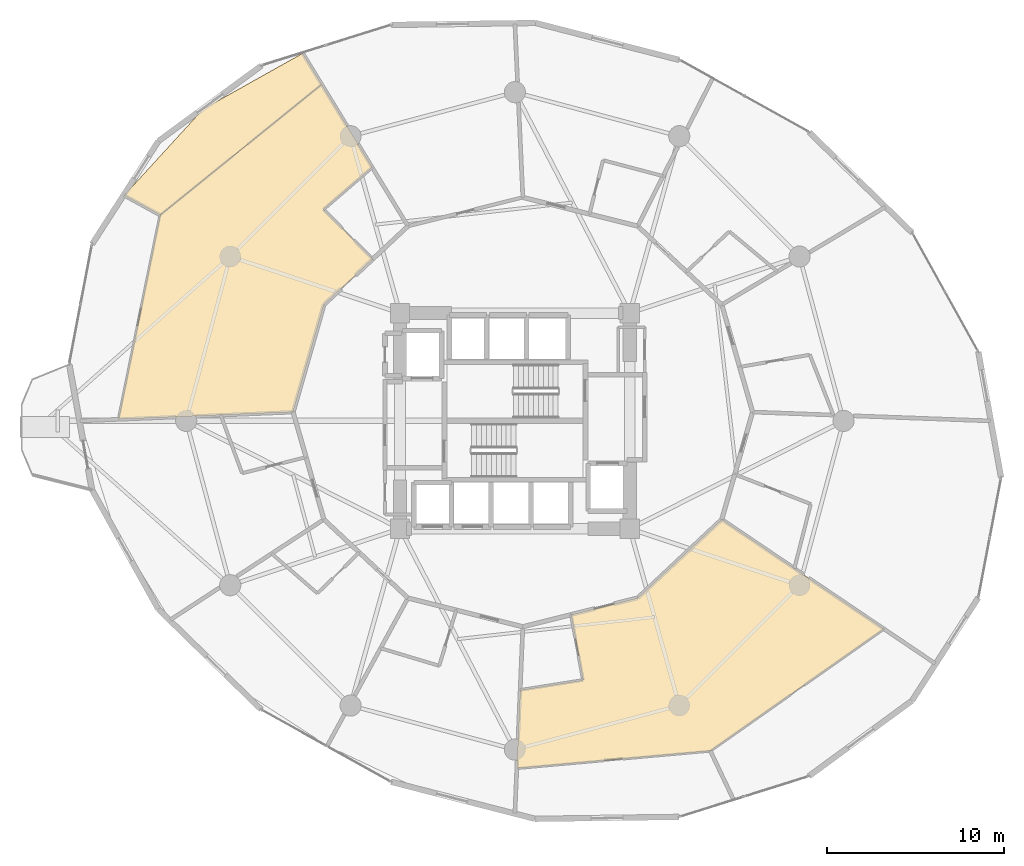
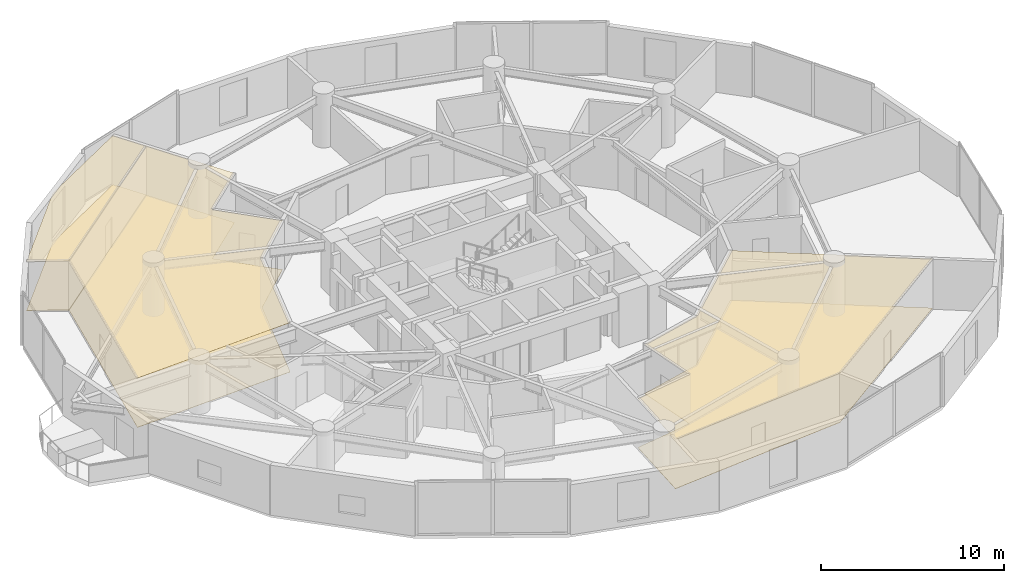
# One storey, part 22 of 22: 6 coverings.
"""IFC4 building model written with IfcOpenShell, lengths in metres."""

import ifcopenshell
import ifcopenshell.guid

model = None  # the IFC model being written
_history = None  # IfcOwnerHistory: only IFC2X3 demands one
_inside = {}  # id of a spatial element -> (the spatial element, [elements in it])
_under = {}  # id of a project, library or spatial element -> (it, [spatial elements below it])
_declared = {}  # id of a project -> (the project, [libraries it declares])
_typed = {}  # id of a type object -> (the type object, [elements of that type])
_made_of = {}  # id of a material, layer set ... -> (it, [elements and type objects made of it])


def new_model(schema):
    """Start an empty IFC model of exactly this schema.

    Asked for "IFC4X3", IfcOpenShell would pick the latest addendum, in which some entities
    have other attributes; the version numbers below select the first issue.
    IFC2X3 requires an IfcOwnerHistory on every rooted entity: one is made here for all.
    """
    global model, _history
    if schema == "IFC4X3":
        model = ifcopenshell.file(schema_version=(4, 3, 0, 0))
    else:
        model = ifcopenshell.file(schema=schema)
    _inside.clear()
    _under.clear()
    _declared.clear()
    _typed.clear()
    _made_of.clear()
    _history = None
    if model.schema == "IFC2X3":
        org = make("IfcOrganization", Name="unknown")
        user = make(
            "IfcPersonAndOrganization",
            ThePerson=make("IfcPerson", FamilyName="unknown"),
            TheOrganization=org,
        )
        app = make(
            "IfcApplication",
            ApplicationDeveloper=org,
            Version="unknown",
            ApplicationFullName="unknown",
            ApplicationIdentifier="unknown",
        )
        _history = make(
            "IfcOwnerHistory",
            OwningUser=user,
            OwningApplication=app,
            ChangeAction="ADDED",
            CreationDate=0,
        )
    return model


def make(cls, **values):
    """One entity of the class cls with the attributes given. An attribute that is None is left unset."""
    return model.create_entity(
        cls, **{name: value for name, value in values.items() if value is not None}
    )


def rooted(cls, **values):
    """An entity with a GlobalId (a new one), such as an element, a storey or a relation."""
    return make(cls, GlobalId=ifcopenshell.guid.new(), OwnerHistory=_history, **values)


def si_unit(unit_type, name, prefix=None):
    """IfcSIUnit, for example si_unit("LENGTHUNIT", "METRE", prefix="MILLI")."""
    return make("IfcSIUnit", UnitType=unit_type, Prefix=prefix, Name=name)


def assignment(units):
    """IfcUnitAssignment: the units of a project."""
    return None if units is None else make("IfcUnitAssignment", Units=units)


def point(xyz):
    """IfcCartesianPoint."""
    return None if xyz is None else make("IfcCartesianPoint", Coordinates=xyz)


def direction(xyz):
    """IfcDirection."""
    return None if xyz is None else make("IfcDirection", DirectionRatios=xyz)


def frame(location, z_axis=None, x_axis=None):
    """IfcAxis2Placement3D, a coordinate frame: its origin and axes. An axis left out is left unset."""
    return make(
        "IfcAxis2Placement3D",
        Location=point(location),
        Axis=direction(z_axis),
        RefDirection=direction(x_axis),
    )


def origin():
    """The frame at (0, 0, 0) with its axes left unset."""
    return frame((0.0, 0.0, 0.0))


def place(relative_to, where):
    """IfcLocalPlacement: puts the frame where relative to a parent placement (None: the world)."""
    return make(
        "IfcLocalPlacement", PlacementRelTo=relative_to, RelativePlacement=where
    )


def context(
    kind, dimensions, precision=None, world=None, true_north=None, identifier=None
):
    """IfcGeometricRepresentationContext, for example the 3D "Model" context."""
    return make(
        "IfcGeometricRepresentationContext",
        ContextIdentifier=identifier,
        ContextType=kind,
        CoordinateSpaceDimension=dimensions,
        Precision=precision,
        WorldCoordinateSystem=world,
        TrueNorth=true_north,
    )


def subcontext(parent, identifier, kind, view, scale=None):
    """IfcGeometricRepresentationSubContext, for example "Body" below "Model"."""
    return make(
        "IfcGeometricRepresentationSubContext",
        ContextIdentifier=identifier,
        ContextType=kind,
        ParentContext=parent,
        TargetScale=scale,
        TargetView=view,
    )


def project(units=None, contexts=None):
    """IfcProject with its units and contexts."""
    return rooted(
        "IfcProject",
        Name="project",
        RepresentationContexts=contexts,
        UnitsInContext=assignment(units),
    )


def spatial(cls, under=None, at=None, **own):
    """A site, building, storey or space (cls), placed at a placement, below another one or the project."""
    s = rooted(cls, ObjectPlacement=at, **own)
    if under is not None:
        _under.setdefault(under.id(), (under, []))[1].append(s)
    return s


def polyline(points):
    """IfcPolyline through the points."""
    return make("IfcPolyline", Points=[point(p) for p in points])


def outline(outer, holes=None, kind="AREA"):
    """IfcArbitraryClosedProfileDef: a profile drawn as a closed curve; with holes, ...WithVoids."""
    if holes is None:
        return make("IfcArbitraryClosedProfileDef", ProfileType=kind, OuterCurve=outer)
    return make(
        "IfcArbitraryProfileDefWithVoids",
        ProfileType=kind,
        OuterCurve=outer,
        InnerCurves=holes,
    )


def extrude(swept, where, along, depth):
    """IfcExtrudedAreaSolid: the profile swept, set in the frame where, extruded along a direction by depth."""
    return make(
        "IfcExtrudedAreaSolid",
        SweptArea=swept,
        Position=where,
        ExtrudedDirection=direction(along),
        Depth=depth,
    )


def shape(context_of_items, identifier, shape_type, items):
    """IfcShapeRepresentation: the items that make up one representation, for example the "Body"."""
    return make(
        "IfcShapeRepresentation",
        ContextOfItems=context_of_items,
        RepresentationIdentifier=identifier,
        RepresentationType=shape_type,
        Items=items,
    )


def material(Name=None, Category=None):
    """IfcMaterial."""
    return make("IfcMaterial", Name=Name, Category=Category)


def layer(
    of_material, thickness, ventilated=None, Name=None, Category=None, Priority=None
):
    """IfcMaterialLayer: one layer of a wall or slab, of a material (None: an air gap)."""
    return make(
        "IfcMaterialLayer",
        Material=of_material,
        LayerThickness=thickness,
        IsVentilated=ventilated,
        Name=Name,
        Category=Category,
        Priority=Priority,
    )


def layer_set(layers, Name=None):
    """IfcMaterialLayerSet."""
    return make("IfcMaterialLayerSet", MaterialLayers=layers, LayerSetName=Name)


def made_of(thing, what):
    """Note that an element or type object is made of a material, layer set ...; save() writes the relation."""
    if what is not None:
        _made_of.setdefault(what.id(), (what, []))[1].append(thing)
    return thing


def type_object(cls, material=None, **own):
    """A type object (cls), such as IfcWallType, which elements share."""
    return made_of(rooted(cls, **own), material)


def element(
    cls,
    number,
    at=None,
    inside=None,
    cuts=None,
    type_object=None,
    material=None,
    context=None,
    identifier="Body",
    shape_type=None,
    held_by="IfcProductDefinitionShape",
    body=None,
    shapes=None,
    **own,
):
    """One element of the class cls, such as IfcWall. Its Tag is "e" and its number.

    at: its placement. inside: the storey or other place that contains it. cuts: it is an
    opening in that element (IfcRelVoidsElement). A single representation is given by context,
    identifier, shape_type and body (its items); several are given by shapes. held_by: the class
    of the entity that holds the representations. save() writes the other relations.
    """
    e = rooted(cls, Tag="e%d" % number, ObjectPlacement=at, **own)
    if body is not None:
        shapes = [shape(context, identifier, shape_type, body)]
    if shapes is not None:
        e.Representation = make(held_by, Representations=shapes)
    if inside is not None:
        _inside.setdefault(inside.id(), (inside, []))[1].append(e)
    if cuts is not None:
        rooted(
            "IfcRelVoidsElement", RelatingBuildingElement=cuts, RelatedOpeningElement=e
        )
    if type_object is not None:
        _typed.setdefault(type_object.id(), (type_object, []))[1].append(e)
    return made_of(e, material)


def aggregate(whole, parts):
    """IfcRelAggregates: a whole, such as a stair, and the parts it consists of."""
    return rooted("IfcRelAggregates", RelatingObject=whole, RelatedObjects=parts)


def save(model, path):
    """Write the relations noted so far, then the file.

    IfcRelAggregates (storeys below a building ...), IfcRelContainedInSpatialStructure (elements
    in a storey), IfcRelDefinesByType, IfcRelAssociatesMaterial and IfcRelDeclares: one each for
    every whole, place, type object, material and project.
    """
    for whole, parts in _under.values():
        aggregate(whole, parts)
    for where, things in _inside.values():
        rooted(
            "IfcRelContainedInSpatialStructure",
            RelatedElements=things,
            RelatingStructure=where,
        )
    for kind, things in _typed.values():
        rooted("IfcRelDefinesByType", RelatedObjects=things, RelatingType=kind)
    for what, things in _made_of.values():
        rooted("IfcRelAssociatesMaterial", RelatedObjects=things, RelatingMaterial=what)
    for by, libraries in _declared.values():
        rooted("IfcRelDeclares", RelatingContext=by, RelatedDefinitions=libraries)
    model.write(path)


model = new_model("IFC4")

# Units and contexts
model_context = context("Model", 3, precision=1e-05, world=origin(), true_north=direction((0.0, 1.0)))
body_context = subcontext(model_context, "Body", "Model", "MODEL_VIEW")
ifc_project = project(units=[si_unit("LENGTHUNIT", "METRE"), si_unit("AREAUNIT", "SQUARE_METRE"), si_unit("VOLUMEUNIT", "CUBIC_METRE"), si_unit("PLANEANGLEUNIT", "RADIAN"), si_unit("MASSUNIT", "GRAM", prefix="KILO")], contexts=[model_context])

# Site, building, storey
site_placement = place(None, origin())
site = spatial("IfcSite", under=ifc_project, at=site_placement, CompositionType="ELEMENT")
building_placement = place(site_placement, origin())
building = spatial("IfcBuilding", under=site, at=building_placement, Name="Solvirekh Grand Hotel", CompositionType="ELEMENT")
storey_placement = place(building_placement, frame((0.0, 0.0, 78.800048828125)))
storey = spatial("IfcBuildingStorey", under=building, at=storey_placement, Name="L19", CompositionType="ELEMENT", Elevation=78.800048828125)

# Coverings
ifc_material_1 = material(Name="Acoustic Mineral Ceiling Tile")
ifc_layer_1 = layer(ifc_material_1, 0.02490234375)
ifc_layer_set_1 = layer_set([ifc_layer_1], Name="Acoustic Mineral Ceiling Tile")
covering_type_1 = type_object("IfcCoveringType", Name="Cov_Ceiling_Acoustic", PredefinedType="CEILING", material=ifc_layer_set_1)
covering_1_placement = place(storey_placement, frame((0.0, 0.0, 3.2900390625)))
element("IfcCovering", 1, at=covering_1_placement, inside=storey, type_object=covering_type_1, Name="L19 Executive Suite 2101 Living Room acoustic ceiling", PredefinedType="CEILING", context=body_context, shape_type="SweptSolid", body=[
    extrude(outline(polyline([(-10.8369140625, 11.966064453125), (-8.075927734375, 14.345947265625), (-10.93603515625, 19.0390625), (-20.072998046875, 11.64892578125), (-22.429931640625, 0.090087890625), (-12.550048828125, 0.5), (-10.80810546875, 6.574951171875), (-8.048095703125, 9.154052734375), (-10.8369140625, 11.966064453125)])), origin(), (0.0, 0.0, 1.0), 0.017822265625),
])
covering_2_placement = place(storey_placement, frame((0.0, 0.0, 3.2900390625)))
element("IfcCovering", 2, at=covering_2_placement, inside=storey, type_object=covering_type_1, Name="L19 Executive Suite 2101 Master Bedroom acoustic ceiling", PredefinedType="CEILING", context=body_context, shape_type="SweptSolid", body=[
    extrude(outline(polyline([(-12.008056640625, 20.799072265625), (-17.64208984375, 17.64208984375), (-22.10693359375, 12.762939453125), (-20.072998046875, 11.64892578125), (-10.93603515625, 19.0390625), (-12.008056640625, 20.799072265625)])), origin(), (0.0, 0.0, 1.0), 0.017822265625),
])
covering_3_placement = place(storey_placement, frame((0.0, 0.0, 3.2900390625)))
element("IfcCovering", 3, at=covering_3_placement, inside=storey, type_object=covering_type_1, Name="L19 Executive Suite 2105 Living Room acoustic ceiling", PredefinedType="CEILING", context=body_context, shape_type="SweptSolid", body=[
    extrude(outline(polyline([(3.864013671875, -14.6708984375), (0.297119140625, -15.23388671875), (0.10791015625, -19.662109375), (11.06201171875, -18.677001953125), (20.885986328125, -11.77392578125), (11.7080078125, -5.574951171875), (6.949951171875, -10.02197265625), (3.179931640625, -10.966064453125), (3.864013671875, -14.6708984375)])), origin(), (0.0, 0.0, 1.0), 0.017822265625),
])
ifc_material_2 = material(Name="Porcelain Stoneware Flooring", Category="masonry")
ifc_layer_2 = layer(ifc_material_2, 0.030029296875)
ifc_layer_set_2 = layer_set([ifc_layer_2], Name="Porcelain Stoneware Flooring")
covering_type_2 = type_object("IfcCoveringType", Name="Cov_Floor_Stone", PredefinedType="FLOORING", material=ifc_layer_set_2)
covering_4_placement = place(storey_placement, origin())
element("IfcCovering", 4, at=covering_4_placement, inside=storey, type_object=covering_type_2, Name="L19 Executive Suite 2101 Living Room polished granite flooring", PredefinedType="FLOORING", context=body_context, shape_type="SweptSolid", body=[
    extrude(outline(polyline([(-10.8369140625, 11.966064453125), (-8.075927734375, 14.345947265625), (-10.93603515625, 19.0390625), (-20.072998046875, 11.64892578125), (-22.429931640625, 0.090087890625), (-12.550048828125, 0.5), (-10.80810546875, 6.574951171875), (-8.048095703125, 9.154052734375), (-10.8369140625, 11.966064453125)])), origin(), (0.0, 0.0, 1.0), 0.02001953125),
])
covering_5_placement = place(storey_placement, origin())
element("IfcCovering", 5, at=covering_5_placement, inside=storey, type_object=covering_type_2, Name="L19 Executive Suite 2101 Master Bedroom polished granite flooring", PredefinedType="FLOORING", context=body_context, shape_type="SweptSolid", body=[
    extrude(outline(polyline([(-12.008056640625, 20.799072265625), (-17.64208984375, 17.64208984375), (-22.10693359375, 12.762939453125), (-20.072998046875, 11.64892578125), (-10.93603515625, 19.0390625), (-12.008056640625, 20.799072265625)])), origin(), (0.0, 0.0, 1.0), 0.02001953125),
])
covering_6_placement = place(storey_placement, origin())
element("IfcCovering", 6, at=covering_6_placement, inside=storey, type_object=covering_type_2, Name="L19 Executive Suite 2105 Living Room polished granite flooring", PredefinedType="FLOORING", context=body_context, shape_type="SweptSolid", body=[
    extrude(outline(polyline([(3.864013671875, -14.6708984375), (0.297119140625, -15.23388671875), (0.10791015625, -19.662109375), (11.06201171875, -18.677001953125), (20.885986328125, -11.77392578125), (11.7080078125, -5.574951171875), (6.949951171875, -10.02197265625), (3.179931640625, -10.966064453125), (3.864013671875, -14.6708984375)])), origin(), (0.0, 0.0, 1.0), 0.02001953125),
])

save(model, "model.ifc")
